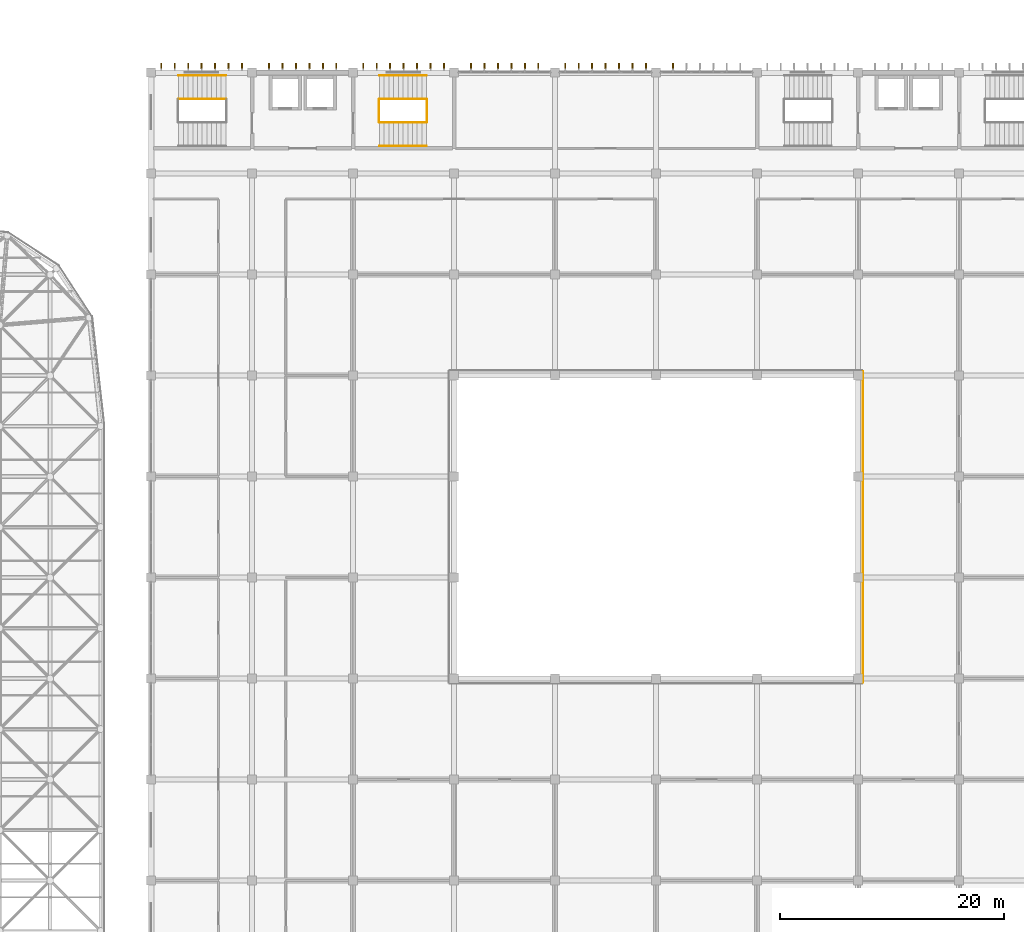
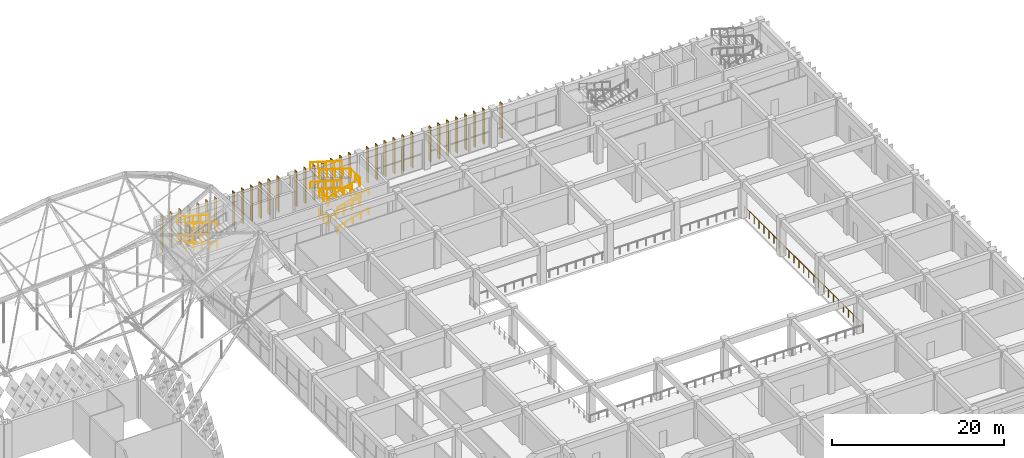
# One storey, part 432 of 437: 34 coverings, 17 railings.
"""IFC4 building model written with IfcOpenShell, lengths in metres."""

from ifc_helpers import new_model, si_unit, direction, frame, origin, origin_2d, place, context, subcontext, project, spatial, rectangle, circle, extrude, material, layer, layer_set, constituent, constituent_set, type_object, element, save


model = new_model("IFC4")

# Units and contexts
model_context = context("Model", 3, precision=1e-05, world=origin(), true_north=direction((0.0, 1.0)))
body_context = subcontext(model_context, "Body", "Model", "MODEL_VIEW")
ifc_project = project(units=[si_unit("LENGTHUNIT", "METRE"), si_unit("AREAUNIT", "SQUARE_METRE"), si_unit("VOLUMEUNIT", "CUBIC_METRE"), si_unit("PLANEANGLEUNIT", "RADIAN"), si_unit("MASSUNIT", "GRAM", prefix="KILO")], contexts=[model_context])

# Site, building, storey
site_placement = place(None, origin())
site = spatial("IfcSite", under=ifc_project, at=site_placement, CompositionType="ELEMENT")
building_placement = place(site_placement, origin())
building = spatial("IfcBuilding", under=site, at=building_placement, Name="Opaline Strait Convention Centre", CompositionType="ELEMENT")
storey_placement = place(building_placement, frame((0.0, 0.0, 11.5)))
storey = spatial("IfcBuildingStorey", under=building, at=storey_placement, Name="L02", CompositionType="ELEMENT", Elevation=11.5)

# Railings
ifc_material_1 = material(Name="Steel Q235B", Category="steel")
ifc_constituent_1 = constituent(ifc_material_1, Name="Frame")
ifc_material_2 = material(Name="Safety glass, bonded interlayer", Category="glass")
ifc_constituent_2 = constituent(ifc_material_2, Name="Infill")
ifc_constituent_set = constituent_set(constituents=[ifc_constituent_1, ifc_constituent_2], Name="Steel Q235B, Safety glass, bonded interlayer")
railing_type_1 = type_object("IfcRailingType", Name="Guard 1100 steel and glass", PredefinedType="GUARDRAIL", material=ifc_constituent_set)
for number, where, name in (
    (1, (285.650146484375, 177.650146484375, 0.125), "L02 S5 stair guard 1"),
    (2, (285.650146484375, 177.650146484375, 2.875), "L02 S5 stair guard 5"),
):
    element("IfcRailing", number, at=place(storey_placement, frame(where)), inside=storey, type_object=railing_type_1, Name=name, PredefinedType="GUARDRAIL", context=body_context, shape_type="SweptSolid", body=[
        extrude(circle(Radius=0.02392578125, at=origin_2d()), frame((0.0, 0.0, 1.076171875), z_axis=(-0.958451171748, 0.0, 0.285256641246), x_axis=(0.0, -1.0, 0.0)), (0.0, 0.0, 1.0), 4.382080078125),
        extrude(circle(Radius=0.02099609375, at=origin_2d()), origin(), (0.0, 0.0, 1.0), 1.052001953125),
        extrude(circle(Radius=0.02099609375, at=origin_2d()), frame((-1.050048828125, 0.0, 0.3125)), (0.0, 0.0, 1.0), 1.052001953125),
        extrude(circle(Radius=0.02099609375, at=origin_2d()), frame((-2.10009765625, 0.0, 0.625)), (0.0, 0.0, 1.0), 1.052001953125),
        extrude(circle(Radius=0.02099609375, at=origin_2d()), frame((-3.14990234375, 0.0, 0.9375)), (0.0, 0.0, 1.0), 1.052001953125),
        extrude(circle(Radius=0.02099609375, at=origin_2d()), frame((-4.199951171875, 0.0, 1.25)), (0.0, 0.0, 1.0), 1.052001953125),
    ])
railing_1_placement = place(storey_placement, frame((299.349853515625, 175.5498046875, 0.125)))
element("IfcRailing", 3, at=railing_1_placement, inside=storey, type_object=railing_type_1, Name="L02 S6 stair guard 1", PredefinedType="GUARDRAIL", context=body_context, shape_type="SweptSolid", body=[
    extrude(circle(Radius=0.02392578125, at=origin_2d()), frame((0.0, 0.0, 1.076171875), z_axis=(0.958451171748, 0.0, 0.285256641246), x_axis=(0.0, 1.0, 0.0)), (0.0, 0.0, 1.0), 4.382080078125),
    extrude(circle(Radius=0.02099609375, at=origin_2d()), origin(), (0.0, 0.0, 1.0), 1.052001953125),
    extrude(circle(Radius=0.02099609375, at=origin_2d()), frame((1.050048828125, 0.0, 0.3125)), (0.0, 0.0, 1.0), 1.052001953125),
    extrude(circle(Radius=0.02099609375, at=origin_2d()), frame((2.10009765625, 0.0, 0.625)), (0.0, 0.0, 1.0), 1.052001953125),
    extrude(circle(Radius=0.02099609375, at=origin_2d()), frame((3.14990234375, 0.0, 0.9375)), (0.0, 0.0, 1.0), 1.052001953125),
    extrude(circle(Radius=0.02099609375, at=origin_2d()), frame((4.199951171875, 0.0, 1.25)), (0.0, 0.0, 1.0), 1.052001953125),
])
railing_2_placement = place(storey_placement, frame((303.599853515625, 175.599853515625, 1.375)))
element("IfcRailing", 4, at=railing_2_placement, inside=storey, type_object=railing_type_1, Name="L02 S6 stair guard 2", PredefinedType="GUARDRAIL", context=body_context, shape_type="SweptSolid", body=[
    extrude(circle(Radius=0.02392578125, at=origin_2d()), frame((0.0, 0.0, 1.076171875), z_axis=(0.0, 1.0, 0.0), x_axis=(-1.0, 0.0, 0.0)), (0.0, 0.0, 1.0), 2.0),
    extrude(circle(Radius=0.02099609375, at=origin_2d()), origin(), (0.0, 0.0, 1.0), 1.052001953125),
    extrude(circle(Radius=0.02099609375, at=origin_2d()), frame((0.0, 1.0, 0.0)), (0.0, 0.0, 1.0), 1.052001953125),
    extrude(circle(Radius=0.02099609375, at=origin_2d()), frame((0.0, 2.0, 0.0)), (0.0, 0.0, 1.0), 1.052001953125),
])
railing_3_placement = place(storey_placement, frame((303.5498046875, 177.64990234375, 1.5)))
element("IfcRailing", 5, at=railing_3_placement, inside=storey, type_object=railing_type_1, Name="L02 S6 stair guard 3", PredefinedType="GUARDRAIL", context=body_context, shape_type="SweptSolid", body=[
    extrude(circle(Radius=0.02392578125, at=origin_2d()), frame((0.0, 0.0, 1.076171875), z_axis=(-0.958451171748, 0.0, 0.285256641246), x_axis=(0.0, -1.0, 0.0)), (0.0, 0.0, 1.0), 4.382080078125),
    extrude(circle(Radius=0.02099609375, at=origin_2d()), origin(), (0.0, 0.0, 1.0), 1.052001953125),
    extrude(circle(Radius=0.02099609375, at=origin_2d()), frame((-1.050048828125, 0.0, 0.3125)), (0.0, 0.0, 1.0), 1.052001953125),
    extrude(circle(Radius=0.02099609375, at=origin_2d()), frame((-2.10009765625, 0.0, 0.625)), (0.0, 0.0, 1.0), 1.052001953125),
    extrude(circle(Radius=0.02099609375, at=origin_2d()), frame((-3.14990234375, 0.0, 0.9375)), (0.0, 0.0, 1.0), 1.052001953125),
    extrude(circle(Radius=0.02099609375, at=origin_2d()), frame((-4.199951171875, 0.0, 1.25)), (0.0, 0.0, 1.0), 1.052001953125),
])
railing_4_placement = place(storey_placement, frame((299.2998046875, 175.599853515625, 2.75)))
element("IfcRailing", 6, at=railing_4_placement, inside=storey, type_object=railing_type_1, Name="L02 S6 stair guard 4", PredefinedType="GUARDRAIL", context=body_context, shape_type="SweptSolid", body=[
    extrude(circle(Radius=0.02392578125, at=origin_2d()), frame((0.0, 0.0, 1.076171875), z_axis=(0.0, 1.0, 0.0), x_axis=(-1.0, 0.0, 0.0)), (0.0, 0.0, 1.0), 2.0),
    extrude(circle(Radius=0.02099609375, at=origin_2d()), origin(), (0.0, 0.0, 1.0), 1.052001953125),
    extrude(circle(Radius=0.02099609375, at=origin_2d()), frame((0.0, 1.0, 0.0)), (0.0, 0.0, 1.0), 1.052001953125),
    extrude(circle(Radius=0.02099609375, at=origin_2d()), frame((0.0, 2.0, 0.0)), (0.0, 0.0, 1.0), 1.052001953125),
])
railing_5_placement = place(storey_placement, frame((299.349853515625, 175.5498046875, 2.875)))
element("IfcRailing", 7, at=railing_5_placement, inside=storey, type_object=railing_type_1, Name="L02 S6 stair guard 5", PredefinedType="GUARDRAIL", context=body_context, shape_type="SweptSolid", body=[
    extrude(circle(Radius=0.02392578125, at=origin_2d()), frame((0.0, 0.0, 1.076171875), z_axis=(0.958451171748, 0.0, 0.285256641246), x_axis=(0.0, 1.0, 0.0)), (0.0, 0.0, 1.0), 4.382080078125),
    extrude(circle(Radius=0.02099609375, at=origin_2d()), origin(), (0.0, 0.0, 1.0), 1.052001953125),
    extrude(circle(Radius=0.02099609375, at=origin_2d()), frame((1.050048828125, 0.0, 0.3125)), (0.0, 0.0, 1.0), 1.052001953125),
    extrude(circle(Radius=0.02099609375, at=origin_2d()), frame((2.10009765625, 0.0, 0.625)), (0.0, 0.0, 1.0), 1.052001953125),
    extrude(circle(Radius=0.02099609375, at=origin_2d()), frame((3.14990234375, 0.0, 0.9375)), (0.0, 0.0, 1.0), 1.052001953125),
    extrude(circle(Radius=0.02099609375, at=origin_2d()), frame((4.199951171875, 0.0, 1.25)), (0.0, 0.0, 1.0), 1.052001953125),
])
railing_6_placement = place(storey_placement, frame((303.599853515625, 175.599853515625, 4.125)))
element("IfcRailing", 8, at=railing_6_placement, inside=storey, type_object=railing_type_1, Name="L02 S6 stair guard 6", PredefinedType="GUARDRAIL", context=body_context, shape_type="SweptSolid", body=[
    extrude(circle(Radius=0.02392578125, at=origin_2d()), frame((0.0, 0.0, 1.076171875), z_axis=(0.0, 1.0, 0.0), x_axis=(-1.0, 0.0, 0.0)), (0.0, 0.0, 1.0), 2.0),
    extrude(circle(Radius=0.02099609375, at=origin_2d()), origin(), (0.0, 0.0, 1.0), 1.052001953125),
    extrude(circle(Radius=0.02099609375, at=origin_2d()), frame((0.0, 1.0, 0.0)), (0.0, 0.0, 1.0), 1.052001953125),
    extrude(circle(Radius=0.02099609375, at=origin_2d()), frame((0.0, 2.0, 0.0)), (0.0, 0.0, 1.0), 1.052001953125),
])
railing_7_placement = place(storey_placement, frame((303.5498046875, 177.64990234375, 4.25)))
element("IfcRailing", 9, at=railing_7_placement, inside=storey, type_object=railing_type_1, Name="L02 S6 stair guard 7", PredefinedType="GUARDRAIL", context=body_context, shape_type="SweptSolid", body=[
    extrude(circle(Radius=0.02392578125, at=origin_2d()), frame((0.0, 0.0, 1.076171875), z_axis=(-0.958451171748, 0.0, 0.285256641246), x_axis=(0.0, -1.0, 0.0)), (0.0, 0.0, 1.0), 4.382080078125),
    extrude(circle(Radius=0.02099609375, at=origin_2d()), origin(), (0.0, 0.0, 1.0), 1.052001953125),
    extrude(circle(Radius=0.02099609375, at=origin_2d()), frame((-1.050048828125, 0.0, 0.3125)), (0.0, 0.0, 1.0), 1.052001953125),
    extrude(circle(Radius=0.02099609375, at=origin_2d()), frame((-2.10009765625, 0.0, 0.625)), (0.0, 0.0, 1.0), 1.052001953125),
    extrude(circle(Radius=0.02099609375, at=origin_2d()), frame((-3.14990234375, 0.0, 0.9375)), (0.0, 0.0, 1.0), 1.052001953125),
    extrude(circle(Radius=0.02099609375, at=origin_2d()), frame((-4.199951171875, 0.0, 1.25)), (0.0, 0.0, 1.0), 1.052001953125),
])
railing_8_placement = place(storey_placement, frame((299.2998046875, 175.599853515625, 0.0)))
element("IfcRailing", 10, at=railing_8_placement, inside=storey, type_object=railing_type_1, Name="L02 S6 stair guard 8", PredefinedType="GUARDRAIL", context=body_context, shape_type="SweptSolid", body=[
    extrude(circle(Radius=0.02392578125, at=origin_2d()), frame((0.0, 0.0, 1.076171875), z_axis=(0.0, 1.0, 0.0), x_axis=(-1.0, 0.0, 0.0)), (0.0, 0.0, 1.0), 2.0),
    extrude(circle(Radius=0.02099609375, at=origin_2d()), origin(), (0.0, 0.0, 1.0), 1.052001953125),
    extrude(circle(Radius=0.02099609375, at=origin_2d()), frame((0.0, 1.0, 0.0)), (0.0, 0.0, 1.0), 1.052001953125),
    extrude(circle(Radius=0.02099609375, at=origin_2d()), frame((0.0, 2.0, 0.0)), (0.0, 0.0, 1.0), 1.052001953125),
])
railing_9_placement = place(storey_placement, frame((342.449951171875, 125.64990234375, 0.0)))
element("IfcRailing", 11, at=railing_9_placement, inside=storey, type_object=railing_type_1, Name="Atrium edge guard L02 E", PredefinedType="GUARDRAIL", context=body_context, shape_type="SweptSolid", body=[
    extrude(circle(Radius=0.02392578125, at=origin_2d()), frame((0.0, 0.0, 1.076171875), z_axis=(0.0, 1.0, 0.0), x_axis=(-1.0, 0.0, 0.0)), (0.0, 0.0, 1.0), 27.7001953125),
    extrude(circle(Radius=0.02099609375, at=origin_2d()), origin(), (0.0, 0.0, 1.0), 1.052001953125),
    extrude(circle(Radius=0.02099609375, at=origin_2d()), frame((0.0, 1.154296875, 0.0)), (0.0, 0.0, 1.0), 1.052001953125),
    extrude(circle(Radius=0.02099609375, at=origin_2d()), frame((0.0, 2.308349609375, 0.0)), (0.0, 0.0, 1.0), 1.052001953125),
    extrude(circle(Radius=0.02099609375, at=origin_2d()), frame((0.0, 3.46240234375, 0.0)), (0.0, 0.0, 1.0), 1.052001953125),
    extrude(circle(Radius=0.02099609375, at=origin_2d()), frame((0.0, 4.61669921875, 0.0)), (0.0, 0.0, 1.0), 1.052001953125),
    extrude(circle(Radius=0.02099609375, at=origin_2d()), frame((0.0, 5.77099609375, 0.0)), (0.0, 0.0, 1.0), 1.052001953125),
    extrude(circle(Radius=0.02099609375, at=origin_2d()), frame((0.0, 6.925048828125, 0.0)), (0.0, 0.0, 1.0), 1.052001953125),
    extrude(circle(Radius=0.02099609375, at=origin_2d()), frame((0.0, 8.0791015625, 0.0)), (0.0, 0.0, 1.0), 1.052001953125),
    extrude(circle(Radius=0.02099609375, at=origin_2d()), frame((0.0, 9.2333984375, 0.0)), (0.0, 0.0, 1.0), 1.052001953125),
    extrude(circle(Radius=0.02099609375, at=origin_2d()), frame((0.0, 10.3876953125, 0.0)), (0.0, 0.0, 1.0), 1.052001953125),
    extrude(circle(Radius=0.02099609375, at=origin_2d()), frame((0.0, 11.541748046875, 0.0)), (0.0, 0.0, 1.0), 1.052001953125),
    extrude(circle(Radius=0.02099609375, at=origin_2d()), frame((0.0, 12.69580078125, 0.0)), (0.0, 0.0, 1.0), 1.052001953125),
    extrude(circle(Radius=0.02099609375, at=origin_2d()), frame((0.0, 13.85009765625, 0.0)), (0.0, 0.0, 1.0), 1.052001953125),
    extrude(circle(Radius=0.02099609375, at=origin_2d()), frame((0.0, 15.004150390625, 0.0)), (0.0, 0.0, 1.0), 1.052001953125),
    extrude(circle(Radius=0.02099609375, at=origin_2d()), frame((0.0, 16.158447265625, 0.0)), (0.0, 0.0, 1.0), 1.052001953125),
    extrude(circle(Radius=0.02099609375, at=origin_2d()), frame((0.0, 17.3125, 0.0)), (0.0, 0.0, 1.0), 1.052001953125),
    extrude(circle(Radius=0.02099609375, at=origin_2d()), frame((0.0, 18.466796875, 0.0)), (0.0, 0.0, 1.0), 1.052001953125),
    extrude(circle(Radius=0.02099609375, at=origin_2d()), frame((0.0, 19.62109375, 0.0)), (0.0, 0.0, 1.0), 1.052001953125),
    extrude(circle(Radius=0.02099609375, at=origin_2d()), frame((0.0, 20.775146484375, 0.0)), (0.0, 0.0, 1.0), 1.052001953125),
    extrude(circle(Radius=0.02099609375, at=origin_2d()), frame((0.0, 21.92919921875, 0.0)), (0.0, 0.0, 1.0), 1.052001953125),
    extrude(circle(Radius=0.02099609375, at=origin_2d()), frame((0.0, 23.08349609375, 0.0)), (0.0, 0.0, 1.0), 1.052001953125),
    extrude(circle(Radius=0.02099609375, at=origin_2d()), frame((0.0, 24.23779296875, 0.0)), (0.0, 0.0, 1.0), 1.052001953125),
    extrude(circle(Radius=0.02099609375, at=origin_2d()), frame((0.0, 25.391845703125, 0.0)), (0.0, 0.0, 1.0), 1.052001953125),
    extrude(circle(Radius=0.02099609375, at=origin_2d()), frame((0.0, 26.5458984375, 0.0)), (0.0, 0.0, 1.0), 1.052001953125),
    extrude(circle(Radius=0.02099609375, at=origin_2d()), frame((0.0, 27.7001953125, 0.0)), (0.0, 0.0, 1.0), 1.052001953125),
])
ifc_material_3 = material(Name="Stainless steel 304", Category="steel")
railing_type_2 = type_object("IfcRailingType", Name="Stair handrail 900 stainless steel", PredefinedType="HANDRAIL", material=ifc_material_3)
for number, where, name in (
    (12, (285.650146484375, 179.75, 0.125), "L02 S5 stair handrail 1"),
    (13, (285.650146484375, 179.75, 2.875), "L02 S5 stair handrail 3"),
):
    element("IfcRailing", number, at=place(storey_placement, frame(where)), inside=storey, type_object=railing_type_2, Name=name, PredefinedType="HANDRAIL", context=body_context, shape_type="SweptSolid", body=[
        extrude(circle(Radius=0.02392578125, at=origin_2d()), frame((0.0, 0.0, 0.8759765625), z_axis=(-0.958451171748, 0.0, 0.285256641246), x_axis=(0.0, -1.0, 0.0)), (0.0, 0.0, 1.0), 4.382080078125),
        extrude(circle(Radius=0.02099609375, at=origin_2d()), origin(), (0.0, 0.0, 1.0), 0.851806640625),
        extrude(circle(Radius=0.02099609375, at=origin_2d()), frame((-1.050048828125, 0.0, 0.3125)), (0.0, 0.0, 1.0), 0.851806640625),
        extrude(circle(Radius=0.02099609375, at=origin_2d()), frame((-2.10009765625, 0.0, 0.625)), (0.0, 0.0, 1.0), 0.851806640625),
        extrude(circle(Radius=0.02099609375, at=origin_2d()), frame((-3.14990234375, 0.0, 0.9375)), (0.0, 0.0, 1.0), 0.851806640625),
        extrude(circle(Radius=0.02099609375, at=origin_2d()), frame((-4.199951171875, 0.0, 1.25)), (0.0, 0.0, 1.0), 0.851806640625),
    ])
railing_10_placement = place(storey_placement, frame((299.349853515625, 173.449951171875, 0.125)))
element("IfcRailing", 14, at=railing_10_placement, inside=storey, type_object=railing_type_2, Name="L02 S6 stair handrail 1", PredefinedType="HANDRAIL", context=body_context, shape_type="SweptSolid", body=[
    extrude(circle(Radius=0.02392578125, at=origin_2d()), frame((0.0, 0.0, 0.8759765625), z_axis=(0.958451171748, 0.0, 0.285256641246), x_axis=(0.0, 1.0, 0.0)), (0.0, 0.0, 1.0), 4.382080078125),
    extrude(circle(Radius=0.02099609375, at=origin_2d()), origin(), (0.0, 0.0, 1.0), 0.851806640625),
    extrude(circle(Radius=0.02099609375, at=origin_2d()), frame((1.050048828125, 0.0, 0.3125)), (0.0, 0.0, 1.0), 0.851806640625),
    extrude(circle(Radius=0.02099609375, at=origin_2d()), frame((2.10009765625, 0.0, 0.625)), (0.0, 0.0, 1.0), 0.851806640625),
    extrude(circle(Radius=0.02099609375, at=origin_2d()), frame((3.14990234375, 0.0, 0.9375)), (0.0, 0.0, 1.0), 0.851806640625),
    extrude(circle(Radius=0.02099609375, at=origin_2d()), frame((4.199951171875, 0.0, 1.25)), (0.0, 0.0, 1.0), 0.851806640625),
])
railing_11_placement = place(storey_placement, frame((303.5498046875, 179.75, 1.5)))
element("IfcRailing", 15, at=railing_11_placement, inside=storey, type_object=railing_type_2, Name="L02 S6 stair handrail 2", PredefinedType="HANDRAIL", context=body_context, shape_type="SweptSolid", body=[
    extrude(circle(Radius=0.02392578125, at=origin_2d()), frame((0.0, 0.0, 0.8759765625), z_axis=(-0.958451171748, 0.0, 0.285256641246), x_axis=(0.0, -1.0, 0.0)), (0.0, 0.0, 1.0), 4.382080078125),
    extrude(circle(Radius=0.02099609375, at=origin_2d()), origin(), (0.0, 0.0, 1.0), 0.851806640625),
    extrude(circle(Radius=0.02099609375, at=origin_2d()), frame((-1.050048828125, 0.0, 0.3125)), (0.0, 0.0, 1.0), 0.851806640625),
    extrude(circle(Radius=0.02099609375, at=origin_2d()), frame((-2.10009765625, 0.0, 0.625)), (0.0, 0.0, 1.0), 0.851806640625),
    extrude(circle(Radius=0.02099609375, at=origin_2d()), frame((-3.14990234375, 0.0, 0.9375)), (0.0, 0.0, 1.0), 0.851806640625),
    extrude(circle(Radius=0.02099609375, at=origin_2d()), frame((-4.199951171875, 0.0, 1.25)), (0.0, 0.0, 1.0), 0.851806640625),
])
railing_12_placement = place(storey_placement, frame((299.349853515625, 173.449951171875, 2.875)))
element("IfcRailing", 16, at=railing_12_placement, inside=storey, type_object=railing_type_2, Name="L02 S6 stair handrail 3", PredefinedType="HANDRAIL", context=body_context, shape_type="SweptSolid", body=[
    extrude(circle(Radius=0.02392578125, at=origin_2d()), frame((0.0, 0.0, 0.8759765625), z_axis=(0.958451171748, 0.0, 0.285256641246), x_axis=(0.0, 1.0, 0.0)), (0.0, 0.0, 1.0), 4.382080078125),
    extrude(circle(Radius=0.02099609375, at=origin_2d()), origin(), (0.0, 0.0, 1.0), 0.851806640625),
    extrude(circle(Radius=0.02099609375, at=origin_2d()), frame((1.050048828125, 0.0, 0.3125)), (0.0, 0.0, 1.0), 0.851806640625),
    extrude(circle(Radius=0.02099609375, at=origin_2d()), frame((2.10009765625, 0.0, 0.625)), (0.0, 0.0, 1.0), 0.851806640625),
    extrude(circle(Radius=0.02099609375, at=origin_2d()), frame((3.14990234375, 0.0, 0.9375)), (0.0, 0.0, 1.0), 0.851806640625),
    extrude(circle(Radius=0.02099609375, at=origin_2d()), frame((4.199951171875, 0.0, 1.25)), (0.0, 0.0, 1.0), 0.851806640625),
])
railing_13_placement = place(storey_placement, frame((303.5498046875, 179.75, 4.25)))
element("IfcRailing", 17, at=railing_13_placement, inside=storey, type_object=railing_type_2, Name="L02 S6 stair handrail 4", PredefinedType="HANDRAIL", context=body_context, shape_type="SweptSolid", body=[
    extrude(circle(Radius=0.02392578125, at=origin_2d()), frame((0.0, 0.0, 0.8759765625), z_axis=(-0.958451171748, 0.0, 0.285256641246), x_axis=(0.0, -1.0, 0.0)), (0.0, 0.0, 1.0), 4.382080078125),
    extrude(circle(Radius=0.02099609375, at=origin_2d()), origin(), (0.0, 0.0, 1.0), 0.851806640625),
    extrude(circle(Radius=0.02099609375, at=origin_2d()), frame((-1.050048828125, 0.0, 0.3125)), (0.0, 0.0, 1.0), 0.851806640625),
    extrude(circle(Radius=0.02099609375, at=origin_2d()), frame((-2.10009765625, 0.0, 0.625)), (0.0, 0.0, 1.0), 0.851806640625),
    extrude(circle(Radius=0.02099609375, at=origin_2d()), frame((-3.14990234375, 0.0, 0.9375)), (0.0, 0.0, 1.0), 0.851806640625),
    extrude(circle(Radius=0.02099609375, at=origin_2d()), frame((-4.199951171875, 0.0, 1.25)), (0.0, 0.0, 1.0), 0.851806640625),
])

# Coverings
ifc_material_4 = material(Name="Aluminium alloy 6063-T5", Category="aluminium")
ifc_layer = layer(ifc_material_4, 0.1201171875)
ifc_layer_set = layer_set([ifc_layer], Name="Aluminium alloy 6063-T5")
covering_type = type_object("IfcCoveringType", Name="Storm louvre fin 120 x 500 aluminium", PredefinedType="CLADDING", material=ifc_layer_set)
for number, where, z_axis, x_axis, name in (
    (18, (279.89990234375, 180.60009765625, 0.25), (0.0, 0.0, 1.0), (1.0, 0.0, 0.0), "Storm louvre fin N L02"),
    (19, (281.10009765625, 180.60009765625, 0.25), (0.0, 0.0, 1.0), (1.0, 0.0, 0.0), "Storm louvre fin N L02"),
    (20, (282.300048828125, 180.60009765625, 0.25), (0.0, 0.0, 1.0), (1.0, 0.0, 0.0), "Storm louvre fin N L02"),
    (21, (283.5, 180.60009765625, 0.25), (0.0, 0.0, 1.0), (1.0, 0.0, 0.0), "Storm louvre fin N L02"),
    (22, (284.699951171875, 180.60009765625, 0.25), (0.0, 0.0, 1.0), (1.0, 0.0, 0.0), "Storm louvre fin N L02"),
    (23, (285.89990234375, 180.60009765625, 0.25), (0.0, 0.0, 1.0), (1.0, 0.0, 0.0), "Storm louvre fin N L02"),
    (24, (287.10009765625, 180.60009765625, 0.25), (0.0, 0.0, 1.0), (1.0, 0.0, 0.0), "Storm louvre fin N L02"),
    (25, (289.5, 180.60009765625, 0.25), (0.0, 0.0, 1.0), (1.0, 0.0, 0.0), "Storm louvre fin N L02"),
    (26, (290.699951171875, 180.60009765625, 0.25), (0.0, 0.0, 1.0), (1.0, 0.0, 0.0), "Storm louvre fin N L02"),
    (27, (291.89990234375, 180.60009765625, 0.25), (0.0, 0.0, 1.0), (1.0, 0.0, 0.0), "Storm louvre fin N L02"),
    (28, (293.10009765625, 180.60009765625, 0.25), (0.0, 0.0, 1.0), (1.0, 0.0, 0.0), "Storm louvre fin N L02"),
    (29, (294.300048828125, 180.60009765625, 0.25), (0.0, 0.0, 1.0), (1.0, 0.0, 0.0), "Storm louvre fin N L02"),
    (30, (295.5, 180.60009765625, 0.25), (0.0, 0.0, 1.0), (1.0, 0.0, 0.0), "Storm louvre fin N L02"),
    (31, (297.89990234375, 180.60009765625, 0.25), (0.0, 0.0, 1.0), (1.0, 0.0, 0.0), "Storm louvre fin N L02"),
    (32, (299.10009765625, 180.60009765625, 0.25), (0.0, 0.0, 1.0), (1.0, 0.0, 0.0), "Storm louvre fin N L02"),
    (33, (300.300048828125, 180.60009765625, 0.25), (0.0, 0.0, 1.0), (1.0, 0.0, 0.0), "Storm louvre fin N L02"),
    (34, (301.5, 180.60009765625, 0.25), (0.0, 0.0, 1.0), (1.0, 0.0, 0.0), "Storm louvre fin N L02"),
    (35, (302.699951171875, 180.60009765625, 0.25), (0.0, 0.0, 1.0), (1.0, 0.0, 0.0), "Storm louvre fin N L02"),
    (36, (303.89990234375, 180.60009765625, 0.25), (0.0, 0.0, 1.0), (1.0, 0.0, 0.0), "Storm louvre fin N L02"),
    (37, (305.10009765625, 180.60009765625, 0.25), (0.0, 0.0, 1.0), (1.0, 0.0, 0.0), "Storm louvre fin N L02"),
    (38, (307.5, 180.60009765625, 0.25), (0.0, 0.0, 1.0), (1.0, 0.0, 0.0), "Storm louvre fin N L02"),
    (39, (308.699951171875, 180.60009765625, 0.25), (0.0, 0.0, 1.0), (1.0, 0.0, 0.0), "Storm louvre fin N L02"),
    (40, (309.89990234375, 180.60009765625, 0.25), (0.0, 0.0, 1.0), (1.0, 0.0, 0.0), "Storm louvre fin N L02"),
    (41, (311.10009765625, 180.60009765625, 0.25), (0.0, 0.0, 1.0), (1.0, 0.0, 0.0), "Storm louvre fin N L02"),
    (42, (312.300048828125, 180.60009765625, 0.25), (0.0, 0.0, 1.0), (1.0, 0.0, 0.0), "Storm louvre fin N L02"),
    (43, (313.5, 180.60009765625, 0.25), (0.0, 0.0, 1.0), (1.0, 0.0, 0.0), "Storm louvre fin N L02"),
    (44, (315.89990234375, 180.60009765625, 0.25), (0.0, 0.0, 1.0), (1.0, 0.0, 0.0), "Storm louvre fin N L02"),
    (45, (317.10009765625, 180.60009765625, 0.25), (0.0, 0.0, 1.0), (1.0, 0.0, 0.0), "Storm louvre fin N L02"),
    (46, (318.300048828125, 180.60009765625, 0.25), (0.0, 0.0, 1.0), (1.0, 0.0, 0.0), "Storm louvre fin N L02"),
    (47, (319.5, 180.60009765625, 0.25), (0.0, 0.0, 1.0), (1.0, 0.0, 0.0), "Storm louvre fin N L02"),
    (48, (320.699951171875, 180.60009765625, 0.25), (0.0, 0.0, 1.0), (1.0, 0.0, 0.0), "Storm louvre fin N L02"),
    (49, (321.89990234375, 180.60009765625, 0.25), (0.0, 0.0, 1.0), (1.0, 0.0, 0.0), "Storm louvre fin N L02"),
    (50, (323.10009765625, 180.60009765625, 0.25), (0.0, 0.0, 1.0), (1.0, 0.0, 0.0), "Storm louvre fin N L02"),
    (51, (325.5, 180.60009765625, 0.25), (0.0, 0.0, 1.0), (1.0, 0.0, 0.0), "Storm louvre fin N L02"),
):
    element("IfcCovering", number, at=place(storey_placement, frame(where, z_axis=z_axis, x_axis=x_axis)), inside=storey, type_object=covering_type, Name=name, PredefinedType="CLADDING", context=body_context, shape_type="SweptSolid", body=[
        extrude(rectangle(XDim=0.1201171875, YDim=0.5, at=origin_2d()), origin(), (0.0, 0.0, 1.0), 4.949951171875),
    ])

save(model, "model.ifc")
